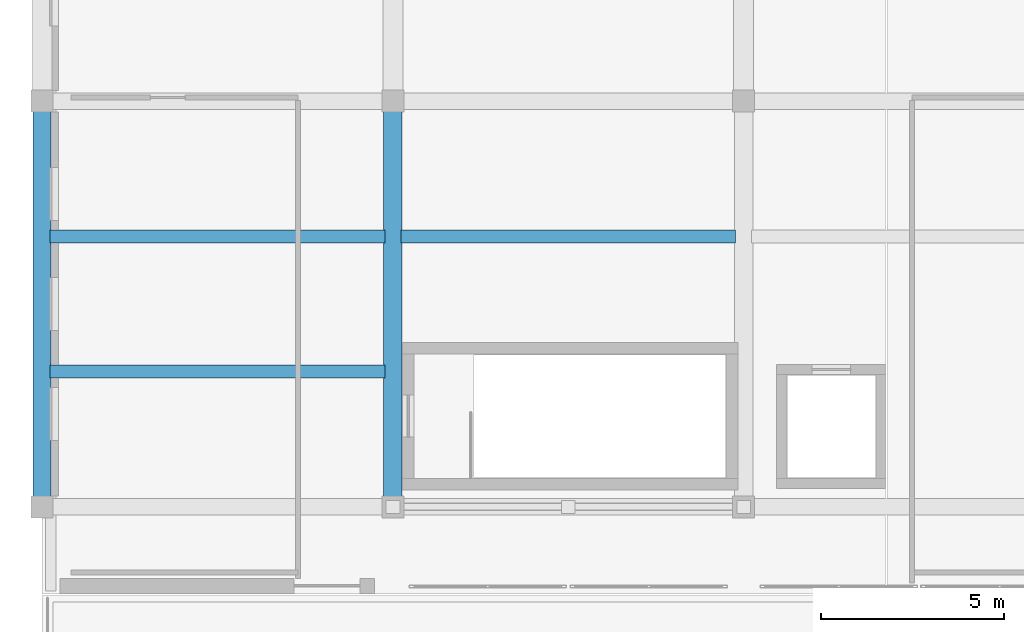
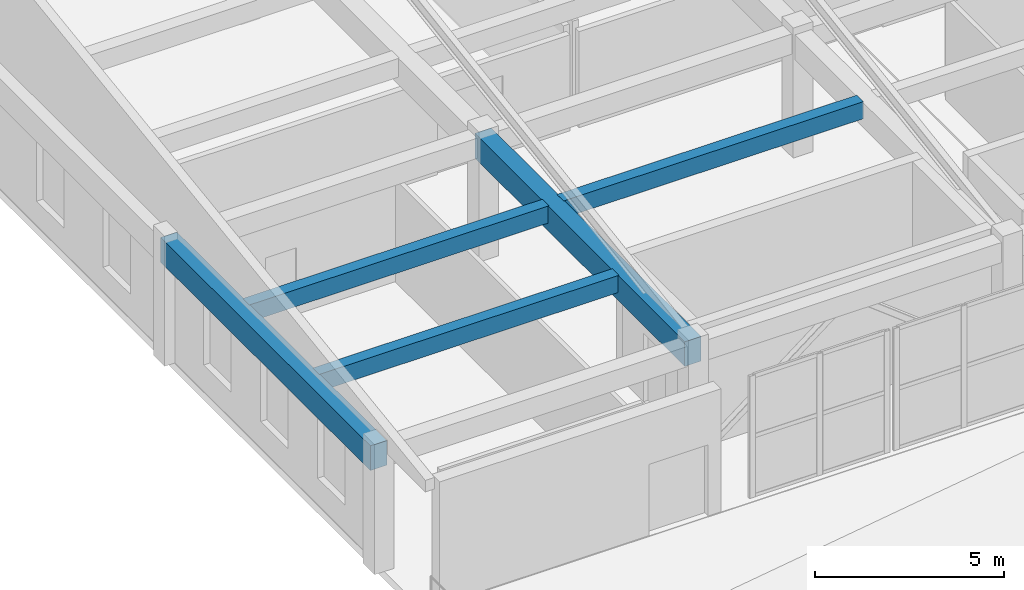
# One storey, part 3 of 29: 5 beams.
"""IFC4 building model written with IfcOpenShell, lengths in metres."""

import ifcopenshell
import ifcopenshell.guid

model = None  # the IFC model being written
_history = None  # IfcOwnerHistory: only IFC2X3 demands one
_inside = {}  # id of a spatial element -> (the spatial element, [elements in it])
_under = {}  # id of a project, library or spatial element -> (it, [spatial elements below it])
_declared = {}  # id of a project -> (the project, [libraries it declares])
_typed = {}  # id of a type object -> (the type object, [elements of that type])
_made_of = {}  # id of a material, layer set ... -> (it, [elements and type objects made of it])


def new_model(schema):
    """Start an empty IFC model of exactly this schema.

    Asked for "IFC4X3", IfcOpenShell would pick the latest addendum, in which some entities
    have other attributes; the version numbers below select the first issue.
    IFC2X3 requires an IfcOwnerHistory on every rooted entity: one is made here for all.
    """
    global model, _history
    if schema == "IFC4X3":
        model = ifcopenshell.file(schema_version=(4, 3, 0, 0))
    else:
        model = ifcopenshell.file(schema=schema)
    _inside.clear()
    _under.clear()
    _declared.clear()
    _typed.clear()
    _made_of.clear()
    _history = None
    if model.schema == "IFC2X3":
        org = make("IfcOrganization", Name="unknown")
        user = make(
            "IfcPersonAndOrganization",
            ThePerson=make("IfcPerson", FamilyName="unknown"),
            TheOrganization=org,
        )
        app = make(
            "IfcApplication",
            ApplicationDeveloper=org,
            Version="unknown",
            ApplicationFullName="unknown",
            ApplicationIdentifier="unknown",
        )
        _history = make(
            "IfcOwnerHistory",
            OwningUser=user,
            OwningApplication=app,
            ChangeAction="ADDED",
            CreationDate=0,
        )
    return model


def make(cls, **values):
    """One entity of the class cls with the attributes given. An attribute that is None is left unset."""
    return model.create_entity(
        cls, **{name: value for name, value in values.items() if value is not None}
    )


def rooted(cls, **values):
    """An entity with a GlobalId (a new one), such as an element, a storey or a relation."""
    return make(cls, GlobalId=ifcopenshell.guid.new(), OwnerHistory=_history, **values)


def si_unit(unit_type, name, prefix=None):
    """IfcSIUnit, for example si_unit("LENGTHUNIT", "METRE", prefix="MILLI")."""
    return make("IfcSIUnit", UnitType=unit_type, Prefix=prefix, Name=name)


def assignment(units):
    """IfcUnitAssignment: the units of a project."""
    return None if units is None else make("IfcUnitAssignment", Units=units)


def point(xyz):
    """IfcCartesianPoint."""
    return None if xyz is None else make("IfcCartesianPoint", Coordinates=xyz)


def direction(xyz):
    """IfcDirection."""
    return None if xyz is None else make("IfcDirection", DirectionRatios=xyz)


def frame(location, z_axis=None, x_axis=None):
    """IfcAxis2Placement3D, a coordinate frame: its origin and axes. An axis left out is left unset."""
    return make(
        "IfcAxis2Placement3D",
        Location=point(location),
        Axis=direction(z_axis),
        RefDirection=direction(x_axis),
    )


def frame_2d(location, x_axis=None):
    """IfcAxis2Placement2D, a coordinate frame in the plane: its origin and x axis."""
    return make(
        "IfcAxis2Placement2D", Location=point(location), RefDirection=direction(x_axis)
    )


def origin():
    """The frame at (0, 0, 0) with its axes left unset."""
    return frame((0.0, 0.0, 0.0))


def origin_2d():
    """The frame at (0, 0) in the plane with its x axis left unset."""
    return frame_2d((0.0, 0.0))


def place(relative_to, where):
    """IfcLocalPlacement: puts the frame where relative to a parent placement (None: the world)."""
    return make(
        "IfcLocalPlacement", PlacementRelTo=relative_to, RelativePlacement=where
    )


def context(
    kind, dimensions, precision=None, world=None, true_north=None, identifier=None
):
    """IfcGeometricRepresentationContext, for example the 3D "Model" context."""
    return make(
        "IfcGeometricRepresentationContext",
        ContextIdentifier=identifier,
        ContextType=kind,
        CoordinateSpaceDimension=dimensions,
        Precision=precision,
        WorldCoordinateSystem=world,
        TrueNorth=true_north,
    )


def subcontext(parent, identifier, kind, view, scale=None):
    """IfcGeometricRepresentationSubContext, for example "Body" below "Model"."""
    return make(
        "IfcGeometricRepresentationSubContext",
        ContextIdentifier=identifier,
        ContextType=kind,
        ParentContext=parent,
        TargetScale=scale,
        TargetView=view,
    )


def project(units=None, contexts=None):
    """IfcProject with its units and contexts."""
    return rooted(
        "IfcProject",
        Name="project",
        RepresentationContexts=contexts,
        UnitsInContext=assignment(units),
    )


def spatial(cls, under=None, at=None, **own):
    """A site, building, storey or space (cls), placed at a placement, below another one or the project."""
    s = rooted(cls, ObjectPlacement=at, **own)
    if under is not None:
        _under.setdefault(under.id(), (under, []))[1].append(s)
    return s


def profile(cls, at=None, kind="AREA", **sizes):
    """A parametric profile (cls). Its sizes go by their IFC names, for example OverallWidth=200.0."""
    return make(cls, ProfileType=kind, Position=at, **sizes)


def rectangle(**sizes):
    """IfcRectangleProfileDef."""
    return profile("IfcRectangleProfileDef", **sizes)


def extrude(swept, where, along, depth):
    """IfcExtrudedAreaSolid: the profile swept, set in the frame where, extruded along a direction by depth."""
    return make(
        "IfcExtrudedAreaSolid",
        SweptArea=swept,
        Position=where,
        ExtrudedDirection=direction(along),
        Depth=depth,
    )


def shape(context_of_items, identifier, shape_type, items):
    """IfcShapeRepresentation: the items that make up one representation, for example the "Body"."""
    return make(
        "IfcShapeRepresentation",
        ContextOfItems=context_of_items,
        RepresentationIdentifier=identifier,
        RepresentationType=shape_type,
        Items=items,
    )


def material(Name=None, Category=None):
    """IfcMaterial."""
    return make("IfcMaterial", Name=Name, Category=Category)


def material_profile(
    of_material, cross_section, Name=None, Category=None, Priority=None
):
    """IfcMaterialProfile: a cross section and its material."""
    return make(
        "IfcMaterialProfile",
        Name=Name,
        Material=of_material,
        Profile=cross_section,
        Priority=Priority,
        Category=Category,
    )


def profile_set(profiles, Name=None, composite=None):
    """IfcMaterialProfileSet."""
    return make(
        "IfcMaterialProfileSet",
        Name=Name,
        MaterialProfiles=profiles,
        CompositeProfile=composite,
    )


def made_of(thing, what):
    """Note that an element or type object is made of a material, layer set ...; save() writes the relation."""
    if what is not None:
        _made_of.setdefault(what.id(), (what, []))[1].append(thing)
    return thing


def type_object(cls, material=None, **own):
    """A type object (cls), such as IfcWallType, which elements share."""
    return made_of(rooted(cls, **own), material)


def element(
    cls,
    number,
    at=None,
    inside=None,
    cuts=None,
    type_object=None,
    material=None,
    context=None,
    identifier="Body",
    shape_type=None,
    held_by="IfcProductDefinitionShape",
    body=None,
    shapes=None,
    **own,
):
    """One element of the class cls, such as IfcWall. Its Tag is "e" and its number.

    at: its placement. inside: the storey or other place that contains it. cuts: it is an
    opening in that element (IfcRelVoidsElement). A single representation is given by context,
    identifier, shape_type and body (its items); several are given by shapes. held_by: the class
    of the entity that holds the representations. save() writes the other relations.
    """
    e = rooted(cls, Tag="e%d" % number, ObjectPlacement=at, **own)
    if body is not None:
        shapes = [shape(context, identifier, shape_type, body)]
    if shapes is not None:
        e.Representation = make(held_by, Representations=shapes)
    if inside is not None:
        _inside.setdefault(inside.id(), (inside, []))[1].append(e)
    if cuts is not None:
        rooted(
            "IfcRelVoidsElement", RelatingBuildingElement=cuts, RelatedOpeningElement=e
        )
    if type_object is not None:
        _typed.setdefault(type_object.id(), (type_object, []))[1].append(e)
    return made_of(e, material)


def aggregate(whole, parts):
    """IfcRelAggregates: a whole, such as a stair, and the parts it consists of."""
    return rooted("IfcRelAggregates", RelatingObject=whole, RelatedObjects=parts)


def save(model, path):
    """Write the relations noted so far, then the file.

    IfcRelAggregates (storeys below a building ...), IfcRelContainedInSpatialStructure (elements
    in a storey), IfcRelDefinesByType, IfcRelAssociatesMaterial and IfcRelDeclares: one each for
    every whole, place, type object, material and project.
    """
    for whole, parts in _under.values():
        aggregate(whole, parts)
    for where, things in _inside.values():
        rooted(
            "IfcRelContainedInSpatialStructure",
            RelatedElements=things,
            RelatingStructure=where,
        )
    for kind, things in _typed.values():
        rooted("IfcRelDefinesByType", RelatedObjects=things, RelatingType=kind)
    for what, things in _made_of.values():
        rooted("IfcRelAssociatesMaterial", RelatedObjects=things, RelatingMaterial=what)
    for by, libraries in _declared.values():
        rooted("IfcRelDeclares", RelatingContext=by, RelatedDefinitions=libraries)
    model.write(path)


model = new_model("IFC4")

# Units and contexts
model_context = context("Model", 3, precision=1e-05, world=origin(), true_north=direction((0.0, 1.0)))
body_context = subcontext(model_context, "Body", "Model", "MODEL_VIEW")
ifc_project = project(units=[si_unit("LENGTHUNIT", "METRE"), si_unit("AREAUNIT", "SQUARE_METRE"), si_unit("VOLUMEUNIT", "CUBIC_METRE"), si_unit("PLANEANGLEUNIT", "RADIAN"), si_unit("MASSUNIT", "GRAM", prefix="KILO")], contexts=[model_context])

# Site, building, storey
site_placement = place(None, origin())
site = spatial("IfcSite", under=ifc_project, at=site_placement, CompositionType="ELEMENT")
building_placement = place(site_placement, origin())
building = spatial("IfcBuilding", under=site, at=building_placement, Name="Tarnavel Promenade Courthouse", CompositionType="ELEMENT")
storey_placement = place(building_placement, frame((0.0, 0.0, 22.800048828125)))
storey = spatial("IfcBuildingStorey", under=building, at=storey_placement, Name="L06", CompositionType="ELEMENT", Elevation=22.800048828125)

# Beams
ifc_material = material(Name="Concrete C40/50", Category="concrete")
ifc_material_profile_1 = material_profile(ifc_material, rectangle(XDim=0.35009765625, YDim=0.550048828125, at=origin_2d()), Name="PT 350x550")
ifc_profile_set_1 = profile_set([ifc_material_profile_1], Name="Concrete C40/50")
beam_type_1 = type_object("IfcBeamType", Name="Concrete C40/50 BM-PT-350x550 (PT 350x550)", PredefinedType="JOIST", material=ifc_profile_set_1)
for number, where, z_axis, x_axis, name in (
    (1, (0.219970703125, 78.10009765625, 3.68994140625), (1.0, 0.0, 0.0), (0.0, 1.0, 0.0), "L06 Secondary Floor Rib 2474"),
    (2, (0.219970703125, 81.800048828125, 3.68994140625), (1.0, 0.0, 0.0), (0.0, 1.0, 0.0), "L06 Secondary Floor Rib 2475"),
    (3, (9.820068359375, 81.800048828125, 3.68994140625), (1.0, 0.0, 0.0), (0.0, 1.0, 0.0), "L06 Secondary Floor Rib 2476"),
):
    element("IfcBeam", number, at=place(storey_placement, frame(where, z_axis=z_axis, x_axis=x_axis)), inside=storey, type_object=beam_type_1, Name=name, PredefinedType="JOIST", context=body_context, shape_type="SweptSolid", body=[
        extrude(rectangle(XDim=0.35009765625, YDim=0.550048828125, at=origin_2d()), origin(), (0.0, 0.0, 1.0), 9.159912109375),
    ])
ifc_material_profile_2 = material_profile(ifc_material, rectangle(XDim=0.5, YDim=0.800048828125, at=origin_2d()), Name="PT 500x800")
ifc_profile_set_2 = profile_set([ifc_material_profile_2], Name="Concrete C40/50")
beam_type_2 = type_object("IfcBeamType", Name="Concrete C40/50 BM-PT-500x800 (PT 500x800)", PredefinedType="T_BEAM", material=ifc_profile_set_2)
for number, where, z_axis, x_axis, name in (
    (4, (0.0, 74.39990234375, 3.56494140625), (0.0, 1.0, 0.0), (-1.0, 0.0, 0.0), "L06 Transverse Girder 2432"),
    (5, (9.60009765625, 74.39990234375, 3.56494140625), (0.0, 1.0, 0.0), (-1.0, 0.0, 0.0), "L06 Transverse Girder 2435"),
):
    element("IfcBeam", number, at=place(storey_placement, frame(where, z_axis=z_axis, x_axis=x_axis)), inside=storey, type_object=beam_type_2, Name=name, PredefinedType="T_BEAM", context=body_context, shape_type="SweptSolid", body=[
        extrude(rectangle(XDim=0.5, YDim=0.800048828125, at=origin_2d()), origin(), (0.0, 0.0, 1.0), 11.10009765625),
    ])

save(model, "model.ifc")
